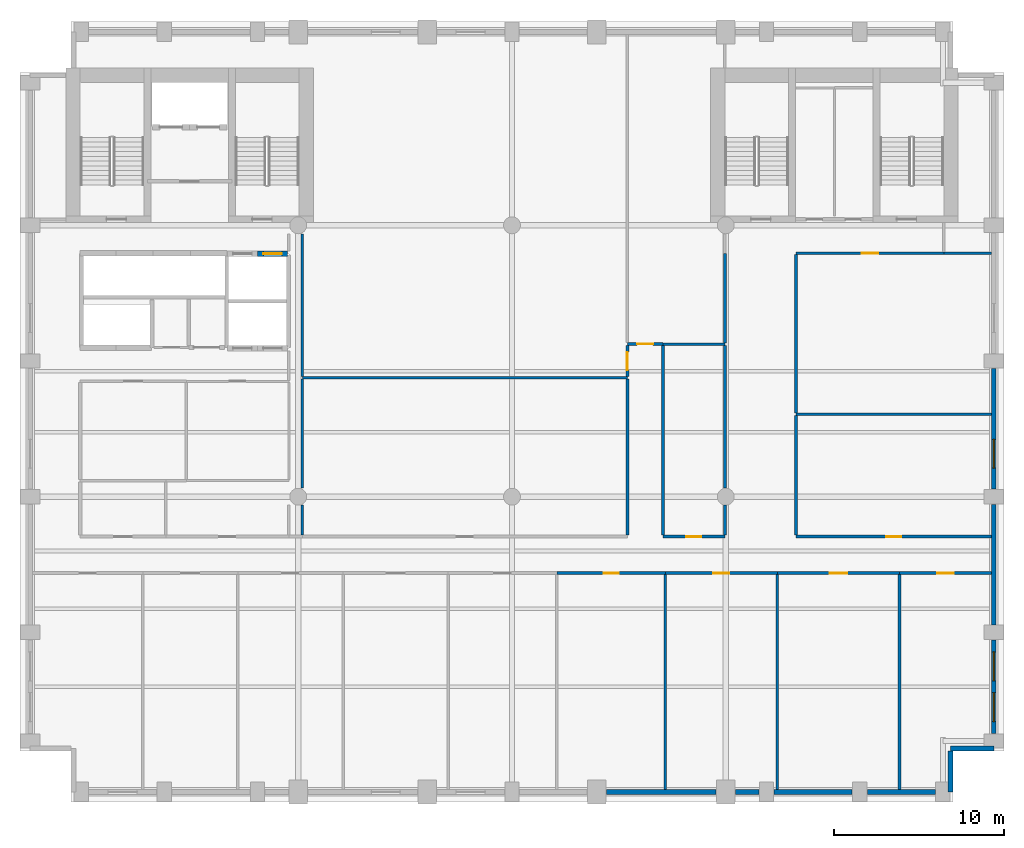
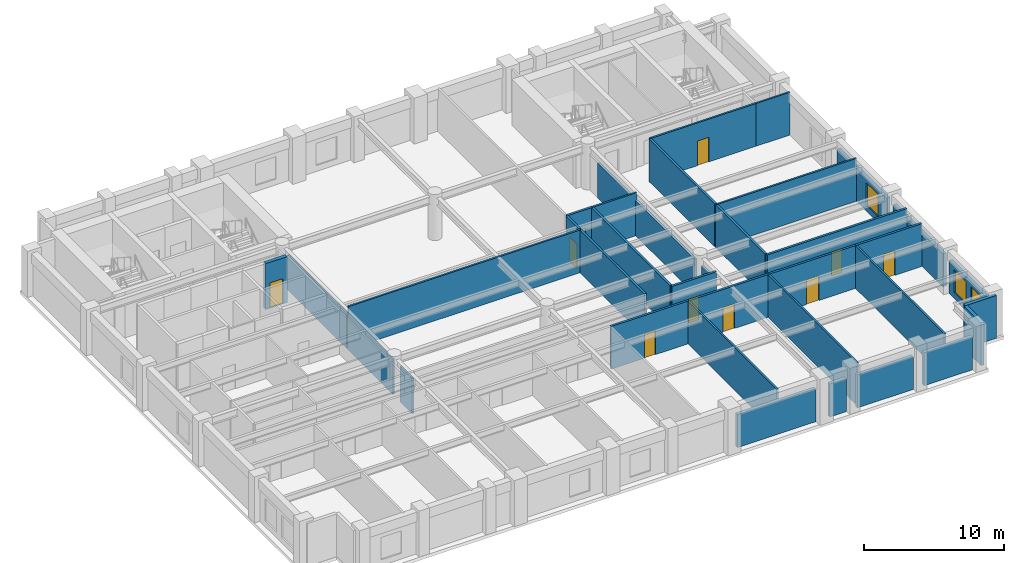
# One storey, part 4 of 8: 36 walls, 10 doors, 3 windows, 13 openings.
"""IFC4 building model written with IfcOpenShell, lengths in metres."""

import ifcopenshell
import ifcopenshell.guid

model = None  # the IFC model being written
_history = None  # IfcOwnerHistory: only IFC2X3 demands one
_inside = {}  # id of a spatial element -> (the spatial element, [elements in it])
_under = {}  # id of a project, library or spatial element -> (it, [spatial elements below it])
_declared = {}  # id of a project -> (the project, [libraries it declares])
_typed = {}  # id of a type object -> (the type object, [elements of that type])
_made_of = {}  # id of a material, layer set ... -> (it, [elements and type objects made of it])


def new_model(schema):
    """Start an empty IFC model of exactly this schema.

    Asked for "IFC4X3", IfcOpenShell would pick the latest addendum, in which some entities
    have other attributes; the version numbers below select the first issue.
    IFC2X3 requires an IfcOwnerHistory on every rooted entity: one is made here for all.
    """
    global model, _history
    if schema == "IFC4X3":
        model = ifcopenshell.file(schema_version=(4, 3, 0, 0))
    else:
        model = ifcopenshell.file(schema=schema)
    _inside.clear()
    _under.clear()
    _declared.clear()
    _typed.clear()
    _made_of.clear()
    _history = None
    if model.schema == "IFC2X3":
        org = make("IfcOrganization", Name="unknown")
        user = make(
            "IfcPersonAndOrganization",
            ThePerson=make("IfcPerson", FamilyName="unknown"),
            TheOrganization=org,
        )
        app = make(
            "IfcApplication",
            ApplicationDeveloper=org,
            Version="unknown",
            ApplicationFullName="unknown",
            ApplicationIdentifier="unknown",
        )
        _history = make(
            "IfcOwnerHistory",
            OwningUser=user,
            OwningApplication=app,
            ChangeAction="ADDED",
            CreationDate=0,
        )
    return model


def make(cls, **values):
    """One entity of the class cls with the attributes given. An attribute that is None is left unset."""
    return model.create_entity(
        cls, **{name: value for name, value in values.items() if value is not None}
    )


def rooted(cls, **values):
    """An entity with a GlobalId (a new one), such as an element, a storey or a relation."""
    return make(cls, GlobalId=ifcopenshell.guid.new(), OwnerHistory=_history, **values)


def si_unit(unit_type, name, prefix=None):
    """IfcSIUnit, for example si_unit("LENGTHUNIT", "METRE", prefix="MILLI")."""
    return make("IfcSIUnit", UnitType=unit_type, Prefix=prefix, Name=name)


def assignment(units):
    """IfcUnitAssignment: the units of a project."""
    return None if units is None else make("IfcUnitAssignment", Units=units)


def point(xyz):
    """IfcCartesianPoint."""
    return None if xyz is None else make("IfcCartesianPoint", Coordinates=xyz)


def direction(xyz):
    """IfcDirection."""
    return None if xyz is None else make("IfcDirection", DirectionRatios=xyz)


def frame(location, z_axis=None, x_axis=None):
    """IfcAxis2Placement3D, a coordinate frame: its origin and axes. An axis left out is left unset."""
    return make(
        "IfcAxis2Placement3D",
        Location=point(location),
        Axis=direction(z_axis),
        RefDirection=direction(x_axis),
    )


def frame_2d(location, x_axis=None):
    """IfcAxis2Placement2D, a coordinate frame in the plane: its origin and x axis."""
    return make(
        "IfcAxis2Placement2D", Location=point(location), RefDirection=direction(x_axis)
    )


def origin():
    """The frame at (0, 0, 0) with its axes left unset."""
    return frame((0.0, 0.0, 0.0))


def place(relative_to, where):
    """IfcLocalPlacement: puts the frame where relative to a parent placement (None: the world)."""
    return make(
        "IfcLocalPlacement", PlacementRelTo=relative_to, RelativePlacement=where
    )


def context(
    kind, dimensions, precision=None, world=None, true_north=None, identifier=None
):
    """IfcGeometricRepresentationContext, for example the 3D "Model" context."""
    return make(
        "IfcGeometricRepresentationContext",
        ContextIdentifier=identifier,
        ContextType=kind,
        CoordinateSpaceDimension=dimensions,
        Precision=precision,
        WorldCoordinateSystem=world,
        TrueNorth=true_north,
    )


def subcontext(parent, identifier, kind, view, scale=None):
    """IfcGeometricRepresentationSubContext, for example "Body" below "Model"."""
    return make(
        "IfcGeometricRepresentationSubContext",
        ContextIdentifier=identifier,
        ContextType=kind,
        ParentContext=parent,
        TargetScale=scale,
        TargetView=view,
    )


def project(units=None, contexts=None):
    """IfcProject with its units and contexts."""
    return rooted(
        "IfcProject",
        Name="project",
        RepresentationContexts=contexts,
        UnitsInContext=assignment(units),
    )


def spatial(cls, under=None, at=None, **own):
    """A site, building, storey or space (cls), placed at a placement, below another one or the project."""
    s = rooted(cls, ObjectPlacement=at, **own)
    if under is not None:
        _under.setdefault(under.id(), (under, []))[1].append(s)
    return s


def profile(cls, at=None, kind="AREA", **sizes):
    """A parametric profile (cls). Its sizes go by their IFC names, for example OverallWidth=200.0."""
    return make(cls, ProfileType=kind, Position=at, **sizes)


def rectangle(**sizes):
    """IfcRectangleProfileDef."""
    return profile("IfcRectangleProfileDef", **sizes)


def extrude(swept, where, along, depth):
    """IfcExtrudedAreaSolid: the profile swept, set in the frame where, extruded along a direction by depth."""
    return make(
        "IfcExtrudedAreaSolid",
        SweptArea=swept,
        Position=where,
        ExtrudedDirection=direction(along),
        Depth=depth,
    )


def shape(context_of_items, identifier, shape_type, items):
    """IfcShapeRepresentation: the items that make up one representation, for example the "Body"."""
    return make(
        "IfcShapeRepresentation",
        ContextOfItems=context_of_items,
        RepresentationIdentifier=identifier,
        RepresentationType=shape_type,
        Items=items,
    )


def material(Name=None, Category=None):
    """IfcMaterial."""
    return make("IfcMaterial", Name=Name, Category=Category)


def layer(
    of_material, thickness, ventilated=None, Name=None, Category=None, Priority=None
):
    """IfcMaterialLayer: one layer of a wall or slab, of a material (None: an air gap)."""
    return make(
        "IfcMaterialLayer",
        Material=of_material,
        LayerThickness=thickness,
        IsVentilated=ventilated,
        Name=Name,
        Category=Category,
        Priority=Priority,
    )


def layer_set(layers, Name=None):
    """IfcMaterialLayerSet."""
    return make("IfcMaterialLayerSet", MaterialLayers=layers, LayerSetName=Name)


def made_of(thing, what):
    """Note that an element or type object is made of a material, layer set ...; save() writes the relation."""
    if what is not None:
        _made_of.setdefault(what.id(), (what, []))[1].append(thing)
    return thing


def type_object(cls, material=None, **own):
    """A type object (cls), such as IfcWallType, which elements share."""
    return made_of(rooted(cls, **own), material)


def element(
    cls,
    number,
    at=None,
    inside=None,
    cuts=None,
    type_object=None,
    material=None,
    context=None,
    identifier="Body",
    shape_type=None,
    held_by="IfcProductDefinitionShape",
    body=None,
    shapes=None,
    **own,
):
    """One element of the class cls, such as IfcWall. Its Tag is "e" and its number.

    at: its placement. inside: the storey or other place that contains it. cuts: it is an
    opening in that element (IfcRelVoidsElement). A single representation is given by context,
    identifier, shape_type and body (its items); several are given by shapes. held_by: the class
    of the entity that holds the representations. save() writes the other relations.
    """
    e = rooted(cls, Tag="e%d" % number, ObjectPlacement=at, **own)
    if body is not None:
        shapes = [shape(context, identifier, shape_type, body)]
    if shapes is not None:
        e.Representation = make(held_by, Representations=shapes)
    if inside is not None:
        _inside.setdefault(inside.id(), (inside, []))[1].append(e)
    if cuts is not None:
        rooted(
            "IfcRelVoidsElement", RelatingBuildingElement=cuts, RelatedOpeningElement=e
        )
    if type_object is not None:
        _typed.setdefault(type_object.id(), (type_object, []))[1].append(e)
    return made_of(e, material)


def fill(opening, filler):
    """IfcRelFillsElement: the door or window that sits in an opening."""
    return rooted(
        "IfcRelFillsElement",
        RelatingOpeningElement=opening,
        RelatedBuildingElement=filler,
    )


def aggregate(whole, parts):
    """IfcRelAggregates: a whole, such as a stair, and the parts it consists of."""
    return rooted("IfcRelAggregates", RelatingObject=whole, RelatedObjects=parts)


def save(model, path):
    """Write the relations noted so far, then the file.

    IfcRelAggregates (storeys below a building ...), IfcRelContainedInSpatialStructure (elements
    in a storey), IfcRelDefinesByType, IfcRelAssociatesMaterial and IfcRelDeclares: one each for
    every whole, place, type object, material and project.
    """
    for whole, parts in _under.values():
        aggregate(whole, parts)
    for where, things in _inside.values():
        rooted(
            "IfcRelContainedInSpatialStructure",
            RelatedElements=things,
            RelatingStructure=where,
        )
    for kind, things in _typed.values():
        rooted("IfcRelDefinesByType", RelatedObjects=things, RelatingType=kind)
    for what, things in _made_of.values():
        rooted("IfcRelAssociatesMaterial", RelatedObjects=things, RelatingMaterial=what)
    for by, libraries in _declared.values():
        rooted("IfcRelDeclares", RelatingContext=by, RelatedDefinitions=libraries)
    model.write(path)


model = new_model("IFC4")

# Units and contexts
model_context = context("Model", 3, precision=1e-05, world=origin(), true_north=direction((0.0, 1.0)))
body_context = subcontext(model_context, "Body", "Model", "MODEL_VIEW")
ifc_project = project(units=[si_unit("LENGTHUNIT", "METRE"), si_unit("AREAUNIT", "SQUARE_METRE"), si_unit("VOLUMEUNIT", "CUBIC_METRE"), si_unit("PLANEANGLEUNIT", "RADIAN"), si_unit("MASSUNIT", "GRAM", prefix="KILO")], contexts=[model_context])

# Site, building, storey
site_placement = place(None, origin())
site = spatial("IfcSite", under=ifc_project, at=site_placement, CompositionType="ELEMENT")
building_placement = place(site_placement, origin())
building = spatial("IfcBuilding", under=site, at=building_placement, Name="Sulina Concourse Tower", CompositionType="ELEMENT")
storey_placement = place(building_placement, frame((0.0, 0.0, 144.60009765625)))
storey = spatial("IfcBuildingStorey", under=building, at=storey_placement, Name="L35", CompositionType="ELEMENT", Elevation=144.60009765625)

# Wall, opening, door
ifc_material_1 = material(Name="Concrete C50/60", Category="concrete")
ifc_layer_1 = layer(ifc_material_1, 0.300048828125)
ifc_layer_set_1 = layer_set([ifc_layer_1], Name="Concrete C50/60")
wall_type_1 = type_object("IfcWallType", Name="Core Lift Hoistway Wall 300mm", PredefinedType="SOLIDWALL", material=ifc_layer_set_1)
wall_1_placement = place(storey_placement, frame((14.0, 32.320068359375, 0.0), z_axis=(0.0, 0.0, 1.0), x_axis=(1.0, 0.0, 0.0)))
wall_1 = element("IfcWall", 1, at=wall_1_placement, inside=storey, type_object=wall_type_1, Name="L35 hoistway enclosure wall LP-08", PredefinedType="SOLIDWALL", context=body_context, shape_type="SweptSolid", body=[
    extrude(rectangle(XDim=1.780029296875, YDim=0.300048828125, at=frame_2d((0.89013671875, 0.0))), origin(), (0.0, 0.0, 1.0), 4.0),
])
opening_1_placement = place(wall_1_placement, frame((0.340087890625, 0.0, 0.0)))
opening_1 = element("IfcOpeningElement", 2, at=opening_1_placement, cuts=wall_1, Name="Opening LD-01", PredefinedType="OPENING", context=body_context, shape_type="SweptSolid", body=[
    extrude(rectangle(XDim=1.10009765625, YDim=2.199951171875, at=frame_2d((0.550048828125, 1.10009765625))), frame((0.0, 0.159912109375, 0.0), z_axis=(0.0, -1.0, 0.0), x_axis=(1.0, 0.0, 0.0)), (0.0, 0.0, 1.0), 0.320068359375),
])
ifc_material_2 = material(Name="Stainless steel lift landing door", Category="steel")
ifc_layer_2 = layer(ifc_material_2, 0.050048828125)
ifc_layer_set_2 = layer_set([ifc_layer_2], Name="Stainless steel lift landing door")
door_type_1 = type_object("IfcDoorType", Name="Passenger Lift Sliding Landing Door 1100x2200", OperationType="SLIDING_TO_LEFT", PredefinedType="DOOR", material=ifc_layer_set_2)
door_1_placement = place(opening_1_placement, origin())
door_1 = element("IfcDoor", 3, at=door_1_placement, inside=storey, type_object=door_type_1, Name="L35 lift landing sliding door LP-08", OperationType="SLIDING_TO_RIGHT", OverallHeight=2.199951171875, OverallWidth=1.10009765625, PredefinedType="DOOR", context=body_context, shape_type="SweptSolid", body=[
    extrude(rectangle(XDim=1.10009765625, YDim=2.199951171875, at=frame_2d((0.550048828125, 1.10009765625))), frame((0.0, 0.02490234375, 0.0), z_axis=(0.0, -1.0, 0.0), x_axis=(1.0, 0.0, 0.0)), (0.0, 0.0, 1.0), 0.050048828125),
])
fill(opening_1, door_1)

# Walls
ifc_material_3 = material(Name="Gypsum board on steel stud", Category="steel")
ifc_layer_3 = layer(ifc_material_3, 0.14990234375)
ifc_layer_set_3 = layer_set([ifc_layer_3], Name="Gypsum board on steel stud")
wall_type_2 = type_object("IfcWallType", Name="Inter-Tenancy Acoustic Partition 150mm", PredefinedType="PARTITIONING", material=ifc_layer_set_3)
wall_2_placement = place(storey_placement, frame((45.75, 22.85009765625, 0.0), z_axis=(0.0, 0.0, 1.0), x_axis=(1.0, 0.0, 0.0)))
element("IfcWall", 4, at=wall_2_placement, inside=storey, type_object=wall_type_2, Name="L35 interior partition 019", PredefinedType="PARTITIONING", context=body_context, shape_type="SweptSolid", body=[
    extrude(rectangle(XDim=11.510009765625, YDim=0.14990234375, at=frame_2d((5.7548828125, 0.0))), origin(), (0.0, 0.0, 1.0), 3.724853515625),
])
wall_3_placement = place(storey_placement, frame((16.64990234375, 25.0, 0.0), z_axis=(0.0, 0.0, 1.0), x_axis=(1.0, 0.0, 0.0)))
element("IfcWall", 5, at=wall_3_placement, inside=storey, type_object=wall_type_2, Name="L35 interior partition 022", PredefinedType="PARTITIONING", context=body_context, shape_type="SweptSolid", body=[
    extrude(rectangle(XDim=19.150146484375, YDim=0.14990234375, at=frame_2d((9.5751953125, 0.0))), origin(), (0.0, 0.0, 1.0), 3.724853515625),
])
wall_4_placement = place(storey_placement, frame((37.89990234375, 27.0, 0.0), z_axis=(0.0, 0.0, 1.0), x_axis=(1.0, 0.0, 0.0)))
element("IfcWall", 6, at=wall_4_placement, inside=storey, type_object=wall_type_2, Name="L35 interior partition 026", PredefinedType="PARTITIONING", context=body_context, shape_type="SweptSolid", body=[
    extrude(rectangle(XDim=3.650146484375, YDim=0.14990234375, at=frame_2d((1.8251953125, 0.0))), origin(), (0.0, 0.0, 1.0), 3.724853515625),
])

# Wall, opening, door
wall_5_placement = place(storey_placement, frame((45.75, 32.35009765625, 0.0), z_axis=(0.0, 0.0, 1.0), x_axis=(1.0, 0.0, 0.0)))
wall_5 = element("IfcWall", 7, at=wall_5_placement, inside=storey, type_object=wall_type_2, Name="L35 interior partition 027", PredefinedType="PARTITIONING", context=body_context, shape_type="SweptSolid", body=[
    extrude(rectangle(XDim=8.699951171875, YDim=0.14990234375, at=frame_2d((4.35009765625, 0.0))), origin(), (0.0, 0.0, 1.0), 3.724853515625),
])
opening_2_placement = place(wall_5_placement, frame((3.875, 0.0, 0.0)))
opening_2 = element("IfcOpeningElement", 8, at=opening_2_placement, cuts=wall_5, Name="Opening DR-19", PredefinedType="OPENING", context=body_context, shape_type="SweptSolid", body=[
    extrude(rectangle(XDim=0.949951171875, YDim=2.14990234375, at=frame_2d((0.47509765625, 1.074951171875))), frame((0.0, 0.0849609375, 0.0), z_axis=(0.0, -1.0, 0.0), x_axis=(1.0, 0.0, 0.0)), (0.0, 0.0, 1.0), 0.169921875),
])
ifc_material_4 = material(Name="Oak-veneered acoustic timber leaf", Category="wood")
ifc_layer_4 = layer(ifc_material_4, 0.050048828125)
ifc_layer_set_4 = layer_set([ifc_layer_4], Name="Oak-veneered acoustic timber leaf")
door_type_2 = type_object("IfcDoorType", Name="Cellular Office & Meeting Door 950x2150", OperationType="NOTDEFINED", PredefinedType="DOOR", material=ifc_layer_set_4)
door_2_placement = place(opening_2_placement, origin())
door_2 = element("IfcDoor", 9, at=door_2_placement, inside=storey, type_object=door_type_2, Name="L35 interior door L35-NE2", OperationType="SINGLE_SWING_RIGHT", OverallHeight=2.14990234375, OverallWidth=0.949951171875, PredefinedType="DOOR", context=body_context, shape_type="SweptSolid", body=[
    extrude(rectangle(XDim=0.949951171875, YDim=2.14990234375, at=frame_2d((0.47509765625, 1.074951171875))), frame((0.0, 0.02490234375, 0.0), z_axis=(0.0, -1.0, 0.0), x_axis=(1.0, 0.0, 0.0)), (0.0, 0.0, 1.0), 0.050048828125),
])
fill(opening_2, door_2)

# Walls
wall_6_placement = place(storey_placement, frame((54.449951171875, 32.35009765625, 0.0), z_axis=(0.0, 0.0, 1.0), x_axis=(1.0, 0.0, 0.0)))
element("IfcWall", 10, at=wall_6_placement, inside=storey, type_object=wall_type_2, Name="L35 interior partition 028", PredefinedType="PARTITIONING", context=body_context, shape_type="SweptSolid", body=[
    extrude(rectangle(XDim=2.81005859375, YDim=0.14990234375, at=frame_2d((1.405029296875, 0.0))), origin(), (0.0, 0.0, 1.0), 3.724853515625),
])
wall_7_placement = place(storey_placement, frame((16.64990234375, 15.739990234375, 0.0), z_axis=(0.0, 0.0, 1.0), x_axis=(0.0, 1.0, 0.0)))
element("IfcWall", 11, at=wall_7_placement, inside=storey, type_object=wall_type_2, Name="L35 interior partition 043", PredefinedType="PARTITIONING", context=body_context, shape_type="SweptSolid", body=[
    extrude(rectangle(XDim=1.760009765625, YDim=0.14990234375, at=frame_2d((0.8798828125, 0.0))), origin(), (0.0, 0.0, 1.0), 3.06982421875),
])
wall_8_placement = place(storey_placement, frame((16.64990234375, 18.5, 0.0), z_axis=(0.0, 0.0, 1.0), x_axis=(0.0, 1.0, 0.0)))
element("IfcWall", 12, at=wall_8_placement, inside=storey, type_object=wall_type_2, Name="L35 interior partition 044", PredefinedType="PARTITIONING", context=body_context, shape_type="SweptSolid", body=[
    extrude(rectangle(XDim=6.425048828125, YDim=0.14990234375, at=frame_2d((3.21240234375, 0.0))), origin(), (0.0, 0.0, 1.0), 3.06982421875),
])
wall_9_placement = place(storey_placement, frame((16.64990234375, 25.074951171875, 0.0), z_axis=(0.0, 0.0, 1.0), x_axis=(0.0, 1.0, 0.0)))
element("IfcWall", 13, at=wall_9_placement, inside=storey, type_object=wall_type_2, Name="L35 interior partition 045", PredefinedType="PARTITIONING", context=body_context, shape_type="SweptSolid", body=[
    extrude(rectangle(XDim=8.425048828125, YDim=0.14990234375, at=frame_2d((4.21240234375, 0.0))), origin(), (0.0, 0.0, 1.0), 3.06982421875),
])
for number, where, z_axis, x_axis, name in (
    (14, (38.0400390625, 0.739990234375, 0.0), (0.0, 0.0, 1.0), (0.0, 1.0, 0.0), "L35 interior partition 053"),
    (15, (44.639892578125, 0.739990234375, 0.0), (0.0, 0.0, 1.0), (0.0, 1.0, 0.0), "L35 interior partition 059"),
    (16, (51.840087890625, 0.739990234375, 0.0), (0.0, 0.0, 1.0), (0.0, 1.0, 0.0), "L35 interior partition 063"),
):
    element("IfcWall", number, at=place(storey_placement, frame(where, z_axis=z_axis, x_axis=x_axis)), inside=storey, type_object=wall_type_2, Name=name, PredefinedType="PARTITIONING", context=body_context, shape_type="SweptSolid", body=[
        extrude(rectangle(XDim=12.669921875, YDim=0.14990234375, at=frame_2d((6.3349609375, 0.0))), origin(), (0.0, 0.0, 1.0), 3.724853515625),
    ])

# Wall, opening, door
ifc_material_5 = material(Name="Gypsum board on steel stud", Category="steel")
ifc_layer_5 = layer(ifc_material_5, 0.179931640625)
ifc_layer_set_5 = layer_set([ifc_layer_5], Name="Gypsum board on steel stud")
wall_type_3 = type_object("IfcWallType", Name="Protected Corridor & Riser Partition 180mm", PredefinedType="PARTITIONING", material=ifc_layer_set_5)
wall_10_placement = place(storey_placement, frame((31.639892578125, 13.5, 0.0), z_axis=(0.0, 0.0, 1.0), x_axis=(1.0, 0.0, 0.0)))
wall_10 = element("IfcWall", 17, at=wall_10_placement, inside=storey, type_object=wall_type_3, Name="L35 interior partition 006", PredefinedType="PARTITIONING", context=body_context, shape_type="SweptSolid", body=[
    extrude(rectangle(XDim=6.400146484375, YDim=0.179931640625, at=frame_2d((3.2001953125, 0.0))), origin(), (0.0, 0.0, 1.0), 3.724853515625),
])
opening_3_placement = place(wall_10_placement, frame((2.760009765625, 0.0, 0.0)))
opening_3 = element("IfcOpeningElement", 18, at=opening_3_placement, cuts=wall_10, Name="Opening DR-38", PredefinedType="OPENING", context=body_context, shape_type="SweptSolid", body=[
    extrude(rectangle(XDim=0.8798828125, YDim=2.10009765625, at=frame_2d((0.43994140625, 1.050048828125))), frame((0.0, 0.099853515625, 0.0), z_axis=(0.0, -1.0, 0.0), x_axis=(1.0, 0.0, 0.0)), (0.0, 0.0, 1.0), 0.199951171875),
])
ifc_material_6 = material(Name="Galvanised steel acoustic fire leaf", Category="steel")
ifc_layer_6 = layer(ifc_material_6, 0.050048828125)
ifc_layer_set_6 = layer_set([ifc_layer_6], Name="Galvanised steel acoustic fire leaf")
door_type_3 = type_object("IfcDoorType", Name="Service Riser Fire Door 880x2100", OperationType="NOTDEFINED", PredefinedType="DOOR", material=ifc_layer_set_6)
door_3_placement = place(opening_3_placement, origin())
door_3 = element("IfcDoor", 19, at=door_3_placement, inside=storey, type_object=door_type_3, Name="L35 interior door L35-S06", OperationType="SINGLE_SWING_LEFT", OverallHeight=2.10009765625, OverallWidth=0.8798828125, PredefinedType="DOOR", context=body_context, shape_type="SweptSolid", body=[
    extrude(rectangle(XDim=0.8798828125, YDim=2.10009765625, at=frame_2d((0.43994140625, 1.050048828125))), frame((0.0, 0.02490234375, 0.0), z_axis=(0.0, -1.0, 0.0), x_axis=(1.0, 0.0, 0.0)), (0.0, 0.0, 1.0), 0.050048828125),
])
fill(opening_3, door_3)

wall_11_placement = place(storey_placement, frame((38.0400390625, 13.5, 0.0), z_axis=(0.0, 0.0, 1.0), x_axis=(1.0, 0.0, 0.0)))
wall_11 = element("IfcWall", 20, at=wall_11_placement, inside=storey, type_object=wall_type_3, Name="L35 interior partition 007", PredefinedType="PARTITIONING", context=body_context, shape_type="SweptSolid", body=[
    extrude(rectangle(XDim=6.599853515625, YDim=0.179931640625, at=frame_2d((3.2998046875, 0.0))), origin(), (0.0, 0.0, 1.0), 3.724853515625),
])
opening_4_placement = place(wall_11_placement, frame((2.824951171875, 0.0, 0.0)))
opening_4 = element("IfcOpeningElement", 21, at=opening_4_placement, cuts=wall_11, Name="Opening DR-19", PredefinedType="OPENING", context=body_context, shape_type="SweptSolid", body=[
    extrude(rectangle(XDim=0.949951171875, YDim=2.14990234375, at=frame_2d((0.47509765625, 1.074951171875))), frame((0.0, 0.099853515625, 0.0), z_axis=(0.0, -1.0, 0.0), x_axis=(1.0, 0.0, 0.0)), (0.0, 0.0, 1.0), 0.199951171875),
])
door_4_placement = place(opening_4_placement, origin())
door_4 = element("IfcDoor", 22, at=door_4_placement, inside=storey, type_object=door_type_2, Name="L35 interior door L35-S07", OperationType="SINGLE_SWING_RIGHT", OverallHeight=2.14990234375, OverallWidth=0.949951171875, PredefinedType="DOOR", context=body_context, shape_type="SweptSolid", body=[
    extrude(rectangle(XDim=0.949951171875, YDim=2.14990234375, at=frame_2d((0.47509765625, 1.074951171875))), frame((0.0, 0.02490234375, 0.0), z_axis=(0.0, -1.0, 0.0), x_axis=(1.0, 0.0, 0.0)), (0.0, 0.0, 1.0), 0.050048828125),
])
fill(opening_4, door_4)

wall_12_placement = place(storey_placement, frame((44.639892578125, 13.5, 0.0), z_axis=(0.0, 0.0, 1.0), x_axis=(1.0, 0.0, 0.0)))
wall_12 = element("IfcWall", 23, at=wall_12_placement, inside=storey, type_object=wall_type_3, Name="L35 interior partition 008", PredefinedType="PARTITIONING", context=body_context, shape_type="SweptSolid", body=[
    extrude(rectangle(XDim=7.2001953125, YDim=0.179931640625, at=frame_2d((3.60009765625, 0.0))), origin(), (0.0, 0.0, 1.0), 3.724853515625),
])
opening_5_placement = place(wall_12_placement, frame((3.074951171875, 0.0, 0.0)))
opening_5 = element("IfcOpeningElement", 24, at=opening_5_placement, cuts=wall_12, Name="Opening DR-37", PredefinedType="OPENING", context=body_context, shape_type="SweptSolid", body=[
    extrude(rectangle(XDim=1.050048828125, YDim=2.14990234375, at=frame_2d((0.52490234375, 1.074951171875))), frame((0.0, 0.099853515625, 0.0), z_axis=(0.0, -1.0, 0.0), x_axis=(1.0, 0.0, 0.0)), (0.0, 0.0, 1.0), 0.199951171875),
])
ifc_material_7 = material(Name="Oak-veneered fire door leaf")
ifc_layer_7 = layer(ifc_material_7, 0.050048828125)
ifc_layer_set_7 = layer_set([ifc_layer_7], Name="Oak-veneered fire door leaf")
door_type_4 = type_object("IfcDoorType", Name="Tenant Suite Entrance Fire Door 1050x2150", OperationType="NOTDEFINED", PredefinedType="DOOR", material=ifc_layer_set_7)
door_5_placement = place(opening_5_placement, origin())
door_5 = element("IfcDoor", 25, at=door_5_placement, inside=storey, type_object=door_type_4, Name="L35 interior door L35-S08", OperationType="SINGLE_SWING_LEFT", OverallHeight=2.14990234375, OverallWidth=1.050048828125, PredefinedType="DOOR", context=body_context, shape_type="SweptSolid", body=[
    extrude(rectangle(XDim=1.050048828125, YDim=2.14990234375, at=frame_2d((0.52490234375, 1.074951171875))), frame((0.0, 0.02490234375, 0.0), z_axis=(0.0, -1.0, 0.0), x_axis=(1.0, 0.0, 0.0)), (0.0, 0.0, 1.0), 0.050048828125),
])
fill(opening_5, door_5)

wall_13_placement = place(storey_placement, frame((51.840087890625, 13.5, 0.0), z_axis=(0.0, 0.0, 1.0), x_axis=(1.0, 0.0, 0.0)))
wall_13 = element("IfcWall", 26, at=wall_13_placement, inside=storey, type_object=wall_type_3, Name="L35 interior partition 009", PredefinedType="PARTITIONING", context=body_context, shape_type="SweptSolid", body=[
    extrude(rectangle(XDim=5.419921875, YDim=0.179931640625, at=frame_2d((2.7099609375, 0.0))), origin(), (0.0, 0.0, 1.0), 3.724853515625),
])
opening_6_placement = place(wall_13_placement, frame((2.235107421875, 0.0, 0.0)))
opening_6 = element("IfcOpeningElement", 27, at=opening_6_placement, cuts=wall_13, Name="Opening DR-19", PredefinedType="OPENING", context=body_context, shape_type="SweptSolid", body=[
    extrude(rectangle(XDim=0.949951171875, YDim=2.14990234375, at=frame_2d((0.47509765625, 1.074951171875))), frame((0.0, 0.099853515625, 0.0), z_axis=(0.0, -1.0, 0.0), x_axis=(1.0, 0.0, 0.0)), (0.0, 0.0, 1.0), 0.199951171875),
])
door_6_placement = place(opening_6_placement, origin())
door_6 = element("IfcDoor", 28, at=door_6_placement, inside=storey, type_object=door_type_2, Name="L35 interior door L35-S09", OperationType="SINGLE_SWING_RIGHT", OverallHeight=2.14990234375, OverallWidth=0.949951171875, PredefinedType="DOOR", context=body_context, shape_type="SweptSolid", body=[
    extrude(rectangle(XDim=0.949951171875, YDim=2.14990234375, at=frame_2d((0.47509765625, 1.074951171875))), frame((0.0, 0.02490234375, 0.0), z_axis=(0.0, -1.0, 0.0), x_axis=(1.0, 0.0, 0.0)), (0.0, 0.0, 1.0), 0.050048828125),
])
fill(opening_6, door_6)

wall_14_placement = place(storey_placement, frame((37.89990234375, 15.64990234375, 0.0), z_axis=(0.0, 0.0, 1.0), x_axis=(1.0, 0.0, 0.0)))
wall_14 = element("IfcWall", 29, at=wall_14_placement, inside=storey, type_object=wall_type_3, Name="L35 interior partition 014", PredefinedType="PARTITIONING", context=body_context, shape_type="SweptSolid", body=[
    extrude(rectangle(XDim=3.650146484375, YDim=0.179931640625, at=frame_2d((1.8251953125, 0.0))), origin(), (0.0, 0.0, 1.0), 3.724853515625),
])
opening_7_placement = place(wall_14_placement, frame((1.385009765625, 0.0, 0.0)))
opening_7 = element("IfcOpeningElement", 30, at=opening_7_placement, cuts=wall_14, Name="Opening DR-38", PredefinedType="OPENING", context=body_context, shape_type="SweptSolid", body=[
    extrude(rectangle(XDim=0.8798828125, YDim=2.10009765625, at=frame_2d((0.43994140625, 1.050048828125))), frame((0.0, 0.099853515625, 0.0), z_axis=(0.0, -1.0, 0.0), x_axis=(1.0, 0.0, 0.0)), (0.0, 0.0, 1.0), 0.199951171875),
])
door_7_placement = place(opening_7_placement, origin())
door_7 = element("IfcDoor", 31, at=door_7_placement, inside=storey, type_object=door_type_3, Name="L35 interior door L35-NC3", OperationType="SINGLE_SWING_RIGHT", OverallHeight=2.10009765625, OverallWidth=0.8798828125, PredefinedType="DOOR", context=body_context, shape_type="SweptSolid", body=[
    extrude(rectangle(XDim=0.8798828125, YDim=2.10009765625, at=frame_2d((0.43994140625, 1.050048828125))), frame((0.0, 0.02490234375, 0.0), z_axis=(0.0, -1.0, 0.0), x_axis=(1.0, 0.0, 0.0)), (0.0, 0.0, 1.0), 0.050048828125),
])
fill(opening_7, door_7)

wall_15_placement = place(storey_placement, frame((45.75, 15.64990234375, 0.0), z_axis=(0.0, 0.0, 1.0), x_axis=(1.0, 0.0, 0.0)))
wall_15 = element("IfcWall", 32, at=wall_15_placement, inside=storey, type_object=wall_type_3, Name="L35 interior partition 015", PredefinedType="PARTITIONING", context=body_context, shape_type="SweptSolid", body=[
    extrude(rectangle(XDim=11.510009765625, YDim=0.179931640625, at=frame_2d((5.7548828125, 0.0))), origin(), (0.0, 0.0, 1.0), 3.724853515625),
])
opening_8_placement = place(wall_15_placement, frame((5.31494140625, 0.0, 0.0)))
opening_8 = element("IfcOpeningElement", 33, at=opening_8_placement, cuts=wall_15, Name="Opening DR-38", PredefinedType="OPENING", context=body_context, shape_type="SweptSolid", body=[
    extrude(rectangle(XDim=0.8798828125, YDim=2.10009765625, at=frame_2d((0.43994140625, 1.050048828125))), frame((0.0, 0.099853515625, 0.0), z_axis=(0.0, -1.0, 0.0), x_axis=(1.0, 0.0, 0.0)), (0.0, 0.0, 1.0), 0.199951171875),
])
door_8_placement = place(opening_8_placement, origin())
door_8 = element("IfcDoor", 34, at=door_8_placement, inside=storey, type_object=door_type_3, Name="L35 interior door L35-NE1", OperationType="SINGLE_SWING_LEFT", OverallHeight=2.10009765625, OverallWidth=0.8798828125, PredefinedType="DOOR", context=body_context, shape_type="SweptSolid", body=[
    extrude(rectangle(XDim=0.8798828125, YDim=2.10009765625, at=frame_2d((0.43994140625, 1.050048828125))), frame((0.0, 0.02490234375, 0.0), z_axis=(0.0, -1.0, 0.0), x_axis=(1.0, 0.0, 0.0)), (0.0, 0.0, 1.0), 0.050048828125),
])
fill(opening_8, door_8)

wall_16_placement = place(storey_placement, frame((35.800048828125, 27.0, 0.0), z_axis=(0.0, 0.0, 1.0), x_axis=(1.0, 0.0, 0.0)))
wall_16 = element("IfcWall", 35, at=wall_16_placement, inside=storey, type_object=wall_type_3, Name="L35 interior partition 025", PredefinedType="PARTITIONING", context=body_context, shape_type="SweptSolid", body=[
    extrude(rectangle(XDim=2.099853515625, YDim=0.179931640625, at=frame_2d((1.0498046875, 0.0))), origin(), (0.0, 0.0, 1.0), 3.724853515625),
])
opening_9_placement = place(wall_16_placement, frame((0.574951171875, 0.0, 0.0)))
opening_9 = element("IfcOpeningElement", 36, at=opening_9_placement, cuts=wall_16, Name="Opening DR-19", PredefinedType="OPENING", context=body_context, shape_type="SweptSolid", body=[
    extrude(rectangle(XDim=0.949951171875, YDim=2.14990234375, at=frame_2d((0.47509765625, 1.074951171875))), frame((0.0, 0.099853515625, 0.0), z_axis=(0.0, -1.0, 0.0), x_axis=(1.0, 0.0, 0.0)), (0.0, 0.0, 1.0), 0.199951171875),
])
door_9_placement = place(opening_9_placement, origin())
door_9 = element("IfcDoor", 37, at=door_9_placement, inside=storey, type_object=door_type_2, Name="L35 interior door L35-NC4", OperationType="SINGLE_SWING_LEFT", OverallHeight=2.14990234375, OverallWidth=0.949951171875, PredefinedType="DOOR", context=body_context, shape_type="SweptSolid", body=[
    extrude(rectangle(XDim=0.949951171875, YDim=2.14990234375, at=frame_2d((0.47509765625, 1.074951171875))), frame((0.0, 0.02490234375, 0.0), z_axis=(0.0, -1.0, 0.0), x_axis=(1.0, 0.0, 0.0)), (0.0, 0.0, 1.0), 0.050048828125),
])
fill(opening_9, door_9)

# Wall
wall_17_placement = place(storey_placement, frame((35.800048828125, 15.739990234375, 0.0), z_axis=(0.0, 0.0, 1.0), x_axis=(0.0, 1.0, 0.0)))
element("IfcWall", 38, at=wall_17_placement, inside=storey, type_object=wall_type_3, Name="L35 interior partition 049", PredefinedType="PARTITIONING", context=body_context, shape_type="SweptSolid", body=[
    extrude(rectangle(XDim=9.18505859375, YDim=0.179931640625, at=frame_2d((4.592529296875, 0.0))), origin(), (0.0, 0.0, 1.0), 3.724853515625),
])

# Wall, opening, door
wall_18_placement = place(storey_placement, frame((35.800048828125, 25.074951171875, 0.0), z_axis=(0.0, 0.0, 1.0), x_axis=(0.0, 1.0, 0.0)))
wall_18 = element("IfcWall", 39, at=wall_18_placement, inside=storey, type_object=wall_type_3, Name="L35 interior partition 050", PredefinedType="PARTITIONING", context=body_context, shape_type="SweptSolid", body=[
    extrude(rectangle(XDim=1.8349609375, YDim=0.179931640625, at=frame_2d((0.91748046875, 0.0))), origin(), (0.0, 0.0, 1.0), 3.724853515625),
])
opening_10_placement = place(wall_18_placement, frame((0.392578125, 0.0, 0.0)))
opening_10 = element("IfcOpeningElement", 40, at=opening_10_placement, cuts=wall_18, Name="Opening DR-37", PredefinedType="OPENING", context=body_context, shape_type="SweptSolid", body=[
    extrude(rectangle(XDim=1.050048828125, YDim=2.14990234375, at=frame_2d((0.52490234375, 1.074951171875))), frame((0.0, 0.099853515625, 0.0), z_axis=(0.0, -1.0, 0.0), x_axis=(1.0, 0.0, 0.0)), (0.0, 0.0, 1.0), 0.199951171875),
])
door_10_placement = place(opening_10_placement, origin())
door_10 = element("IfcDoor", 41, at=door_10_placement, inside=storey, type_object=door_type_4, Name="L35 interior door L35-NC2", OperationType="SINGLE_SWING_LEFT", OverallHeight=2.14990234375, OverallWidth=1.050048828125, PredefinedType="DOOR", context=body_context, shape_type="SweptSolid", body=[
    extrude(rectangle(XDim=1.050048828125, YDim=2.14990234375, at=frame_2d((0.52490234375, 1.074951171875))), frame((0.0, 0.02490234375, 0.0), z_axis=(0.0, -1.0, 0.0), x_axis=(1.0, 0.0, 0.0)), (0.0, 0.0, 1.0), 0.050048828125),
])
fill(opening_10, door_10)

# Walls
wall_19_placement = place(storey_placement, frame((37.89990234375, 15.739990234375, 0.0), z_axis=(0.0, 0.0, 1.0), x_axis=(0.0, 1.0, 0.0)))
element("IfcWall", 42, at=wall_19_placement, inside=storey, type_object=wall_type_3, Name="L35 interior partition 052", PredefinedType="PARTITIONING", context=body_context, shape_type="SweptSolid", body=[
    extrude(rectangle(XDim=11.169921875, YDim=0.179931640625, at=frame_2d((5.5849609375, 0.0))), origin(), (0.0, 0.0, 1.0), 3.724853515625),
])
wall_20_placement = place(storey_placement, frame((41.550048828125, 15.739990234375, 0.0), z_axis=(0.0, 0.0, 1.0), x_axis=(0.0, 1.0, 0.0)))
element("IfcWall", 43, at=wall_20_placement, inside=storey, type_object=wall_type_3, Name="L35 interior partition 054", PredefinedType="PARTITIONING", context=body_context, shape_type="SweptSolid", body=[
    extrude(rectangle(XDim=1.760009765625, YDim=0.179931640625, at=frame_2d((0.8798828125, 0.0))), origin(), (0.0, 0.0, 1.0), 3.06982421875),
])
wall_21_placement = place(storey_placement, frame((41.550048828125, 18.5, 0.0), z_axis=(0.0, 0.0, 1.0), x_axis=(0.0, 1.0, 0.0)))
element("IfcWall", 44, at=wall_21_placement, inside=storey, type_object=wall_type_3, Name="L35 interior partition 055", PredefinedType="PARTITIONING", context=body_context, shape_type="SweptSolid", body=[
    extrude(rectangle(XDim=8.425048828125, YDim=0.179931640625, at=frame_2d((4.21240234375, 0.0))), origin(), (0.0, 0.0, 1.0), 3.06982421875),
])
wall_22_placement = place(storey_placement, frame((41.550048828125, 27.074951171875, 0.0), z_axis=(0.0, 0.0, 1.0), x_axis=(0.0, 1.0, 0.0)))
element("IfcWall", 45, at=wall_22_placement, inside=storey, type_object=wall_type_3, Name="L35 interior partition 056", PredefinedType="PARTITIONING", context=body_context, shape_type="SweptSolid", body=[
    extrude(rectangle(XDim=5.275146484375, YDim=0.179931640625, at=frame_2d((2.6376953125, 0.0))), origin(), (0.0, 0.0, 1.0), 3.06982421875),
])
wall_23_placement = place(storey_placement, frame((45.75, 15.739990234375, 0.0), z_axis=(0.0, 0.0, 1.0), x_axis=(0.0, 1.0, 0.0)))
element("IfcWall", 46, at=wall_23_placement, inside=storey, type_object=wall_type_3, Name="L35 interior partition 060", PredefinedType="PARTITIONING", context=body_context, shape_type="SweptSolid", body=[
    extrude(rectangle(XDim=7.034912109375, YDim=0.179931640625, at=frame_2d((3.517578125, 0.0))), origin(), (0.0, 0.0, 1.0), 3.724853515625),
])
wall_24_placement = place(storey_placement, frame((45.75, 22.925048828125, 0.0), z_axis=(0.0, 0.0, 1.0), x_axis=(0.0, 1.0, 0.0)))
element("IfcWall", 47, at=wall_24_placement, inside=storey, type_object=wall_type_3, Name="L35 interior partition 061", PredefinedType="PARTITIONING", context=body_context, shape_type="SweptSolid", body=[
    extrude(rectangle(XDim=9.349853515625, YDim=0.179931640625, at=frame_2d((4.6748046875, 0.0))), origin(), (0.0, 0.0, 1.0), 3.724853515625),
])
ifc_material_8 = material(Name="Precast concrete C50/60", Category="concrete")
ifc_layer_8 = layer(ifc_material_8, 0.280029296875)
ifc_layer_set_8 = layer_set([ifc_layer_8], Name="Precast concrete C50/60")
wall_type_4 = type_object("IfcWallType", Name="Typical Precast Masonry-Frame Facade Wall 280mm", PredefinedType="SOLIDWALL", material=ifc_layer_set_8)
wall_25_placement = place(storey_placement, frame((41.030029296875, 0.60009765625, 0.0), z_axis=(0.0, 0.0, 1.0), x_axis=(-1.0, 0.0, 0.0)))
element("IfcWall", 48, at=wall_25_placement, inside=storey, type_object=wall_type_4, Name="L35 exterior precast wall S7", PredefinedType="SOLIDWALL", context=body_context, shape_type="SweptSolid", body=[
    extrude(rectangle(XDim=6.4599609375, YDim=0.280029296875, at=frame_2d((3.22998046875, 0.0))), origin(), (0.0, 0.0, 1.0), 2.875),
])
wall_26_placement = place(storey_placement, frame((43.554931640625, 0.60009765625, 0.0), z_axis=(0.0, 0.0, 1.0), x_axis=(-1.0, 0.0, 0.0)))
element("IfcWall", 49, at=wall_26_placement, inside=storey, type_object=wall_type_4, Name="L35 exterior precast wall S8", PredefinedType="SOLIDWALL", context=body_context, shape_type="SweptSolid", body=[
    extrude(rectangle(XDim=1.385009765625, YDim=0.280029296875, at=frame_2d((0.6923828125, 0.0))), origin(), (0.0, 0.0, 1.0), 2.875),
])
wall_27_placement = place(storey_placement, frame((49.054931640625, 0.60009765625, 0.0), z_axis=(0.0, 0.0, 1.0), x_axis=(-1.0, 0.0, 0.0)))
element("IfcWall", 50, at=wall_27_placement, inside=storey, type_object=wall_type_4, Name="L35 exterior precast wall S9", PredefinedType="SOLIDWALL", context=body_context, shape_type="SweptSolid", body=[
    extrude(rectangle(XDim=4.60986328125, YDim=0.280029296875, at=frame_2d((2.304931640625, 0.0))), origin(), (0.0, 0.0, 1.0), 2.875),
])
wall_28_placement = place(storey_placement, frame((53.955078125, 0.60009765625, 0.0), z_axis=(0.0, 0.0, 1.0), x_axis=(-1.0, 0.0, 0.0)))
element("IfcWall", 51, at=wall_28_placement, inside=storey, type_object=wall_type_4, Name="L35 exterior precast wall S10", PredefinedType="SOLIDWALL", context=body_context, shape_type="SweptSolid", body=[
    extrude(rectangle(XDim=4.010009765625, YDim=0.280029296875, at=frame_2d((2.0048828125, 0.0))), origin(), (0.0, 0.0, 1.0), 2.875),
])

# Wall, openings, windows
wall_29_placement = place(storey_placement, frame((57.39990234375, 9.554931640625, 0.0), z_axis=(0.0, 0.0, 1.0), x_axis=(0.0, -1.0, 0.0)))
wall_29 = element("IfcWall", 52, at=wall_29_placement, inside=storey, type_object=wall_type_4, Name="L35 exterior precast wall E1", PredefinedType="SOLIDWALL", context=body_context, shape_type="SweptSolid", body=[
    extrude(rectangle(XDim=5.510009765625, YDim=0.280029296875, at=frame_2d((2.7548828125, 0.0))), origin(), (0.0, 0.0, 1.0), 2.875),
])
opening_11_placement = place(wall_29_placement, frame((0.703369140625, 0.0, 0.5)))
opening_11 = element("IfcOpeningElement", 53, at=opening_11_placement, cuts=wall_29, Name="Opening WN-66", PredefinedType="OPENING", context=body_context, shape_type="SweptSolid", body=[
    extrude(rectangle(XDim=1.699951171875, YDim=1.949951171875, at=frame_2d((0.85009765625, 0.97509765625))), frame((0.0, 0.14990234375, 0.0), z_axis=(0.0, -1.0, 0.0), x_axis=(1.0, 0.0, 0.0)), (0.0, 0.0, 1.0), 0.300048828125),
])
opening_12_placement = place(wall_29_placement, frame((3.106689453125, 0.0, 0.5)))
opening_12 = element("IfcOpeningElement", 54, at=opening_12_placement, cuts=wall_29, Name="Opening WN-66", PredefinedType="OPENING", context=body_context, shape_type="SweptSolid", body=[
    extrude(rectangle(XDim=1.699951171875, YDim=1.949951171875, at=frame_2d((0.85009765625, 0.97509765625))), frame((0.0, 0.14990234375, 0.0), z_axis=(0.0, -1.0, 0.0), x_axis=(1.0, 0.0, 0.0)), (0.0, 0.0, 1.0), 0.300048828125),
])
ifc_material_9 = material(Name="Low-E solar double glazing in bronze aluminium", Category="aluminium")
window_type = type_object("IfcWindowType", Name="Recessed Spandrel Window 1700x1950", PartitioningType="SINGLE_PANEL", PredefinedType="WINDOW", material=ifc_material_9)
window_1_placement = place(opening_11_placement, origin())
window_1 = element("IfcWindow", 55, at=window_1_placement, inside=storey, type_object=window_type, Name="L35 punched window E1-1", OverallHeight=1.949951171875, OverallWidth=1.699951171875, PartitioningType="SINGLE_PANEL", PredefinedType="WINDOW", context=body_context, shape_type="SweptSolid", body=[
    extrude(rectangle(XDim=1.699951171875, YDim=1.949951171875, at=frame_2d((0.85009765625, 0.97509765625))), frame((0.0, 0.030029296875, 0.0), z_axis=(0.0, -1.0, 0.0), x_axis=(1.0, 0.0, 0.0)), (0.0, 0.0, 1.0), 0.06005859375),
])
fill(opening_11, window_1)
window_2_placement = place(opening_12_placement, origin())
window_2 = element("IfcWindow", 56, at=window_2_placement, inside=storey, type_object=window_type, Name="L35 punched window E1-2", OverallHeight=1.949951171875, OverallWidth=1.699951171875, PartitioningType="SINGLE_PANEL", PredefinedType="WINDOW", context=body_context, shape_type="SweptSolid", body=[
    extrude(rectangle(XDim=1.699951171875, YDim=1.949951171875, at=frame_2d((0.85009765625, 0.97509765625))), frame((0.0, 0.030029296875, 0.0), z_axis=(0.0, -1.0, 0.0), x_axis=(1.0, 0.0, 0.0)), (0.0, 0.0, 1.0), 0.06005859375),
])
fill(opening_12, window_2)

# Wall
wall_30_placement = place(storey_placement, frame((57.39990234375, 17.554931640625, 0.0), z_axis=(0.0, 0.0, 1.0), x_axis=(0.0, -1.0, 0.0)))
element("IfcWall", 57, at=wall_30_placement, inside=storey, type_object=wall_type_4, Name="L35 exterior precast wall E2", PredefinedType="SOLIDWALL", context=body_context, shape_type="SweptSolid", body=[
    extrude(rectangle(XDim=7.10986328125, YDim=0.280029296875, at=frame_2d((3.554931640625, 0.0))), origin(), (0.0, 0.0, 1.0), 2.875),
])

# Wall, opening, window
wall_31_placement = place(storey_placement, frame((57.39990234375, 25.554931640625, 0.0), z_axis=(0.0, 0.0, 1.0), x_axis=(0.0, -1.0, 0.0)))
wall_31 = element("IfcWall", 58, at=wall_31_placement, inside=storey, type_object=wall_type_4, Name="L35 exterior precast wall E3", PredefinedType="SOLIDWALL", context=body_context, shape_type="SweptSolid", body=[
    extrude(rectangle(XDim=7.10986328125, YDim=0.280029296875, at=frame_2d((3.554931640625, 0.0))), origin(), (0.0, 0.0, 1.0), 2.875),
])
opening_13_placement = place(wall_31_placement, frame((4.17333984375, 0.0, 0.5)))
opening_13 = element("IfcOpeningElement", 59, at=opening_13_placement, cuts=wall_31, Name="Opening WN-66", PredefinedType="OPENING", context=body_context, shape_type="SweptSolid", body=[
    extrude(rectangle(XDim=1.699951171875, YDim=1.949951171875, at=frame_2d((0.85009765625, 0.97509765625))), frame((0.0, 0.14990234375, 0.0), z_axis=(0.0, -1.0, 0.0), x_axis=(1.0, 0.0, 0.0)), (0.0, 0.0, 1.0), 0.300048828125),
])
window_3_placement = place(opening_13_placement, origin())
window_3 = element("IfcWindow", 60, at=window_3_placement, inside=storey, type_object=window_type, Name="L35 punched window E3-1", OverallHeight=1.949951171875, OverallWidth=1.699951171875, PartitioningType="SINGLE_PANEL", PredefinedType="WINDOW", context=body_context, shape_type="SweptSolid", body=[
    extrude(rectangle(XDim=1.699951171875, YDim=1.949951171875, at=frame_2d((0.85009765625, 0.97509765625))), frame((0.0, 0.030029296875, 0.0), z_axis=(0.0, -1.0, 0.0), x_axis=(1.0, 0.0, 0.0)), (0.0, 0.0, 1.0), 0.06005859375),
])
fill(opening_13, window_3)

# Walls
wall_32_placement = place(storey_placement, frame((57.39990234375, 3.155029296875, 0.0), z_axis=(0.0, 0.0, 1.0), x_axis=(-1.0, 0.0, 0.0)))
element("IfcWall", 61, at=wall_32_placement, inside=storey, type_object=wall_type_4, Name="L35 exterior precast wall CSE1", PredefinedType="SOLIDWALL", context=body_context, shape_type="SweptSolid", body=[
    extrude(rectangle(XDim=2.554931640625, YDim=0.280029296875, at=frame_2d((1.27734375, 0.0))), origin(), (0.0, 0.0, 1.0), 3.724853515625),
])
wall_33_placement = place(storey_placement, frame((54.844970703125, 3.010009765625, 0.0), z_axis=(0.0, 0.0, 1.0), x_axis=(0.0, -1.0, 0.0)))
element("IfcWall", 62, at=wall_33_placement, inside=storey, type_object=wall_type_4, Name="L35 exterior precast wall CSE2", PredefinedType="SOLIDWALL", context=body_context, shape_type="SweptSolid", body=[
    extrude(rectangle(XDim=2.409912109375, YDim=0.280029296875, at=frame_2d((1.205078125, 0.0))), origin(), (0.0, 0.0, 1.0), 3.724853515625),
])

save(model, "model.ifc")
